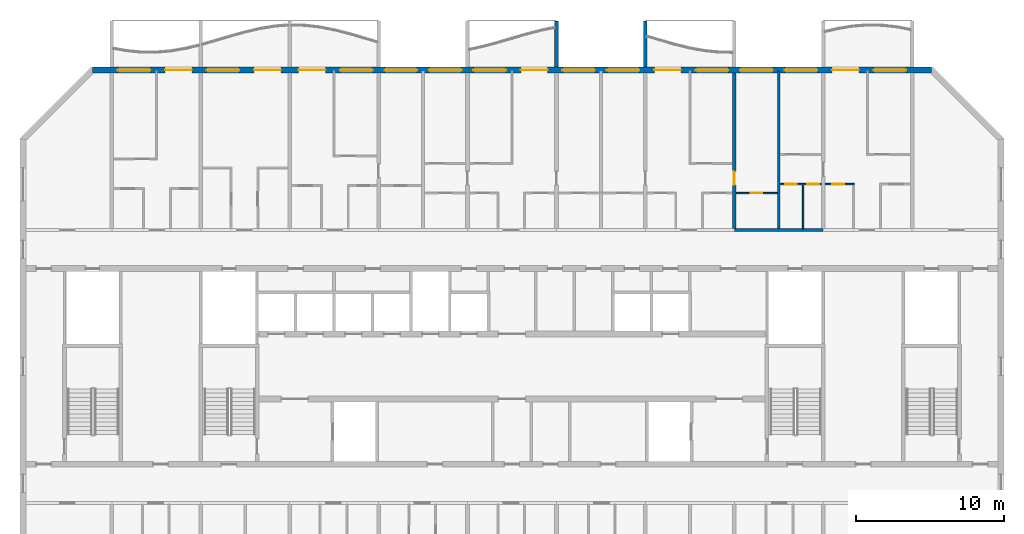
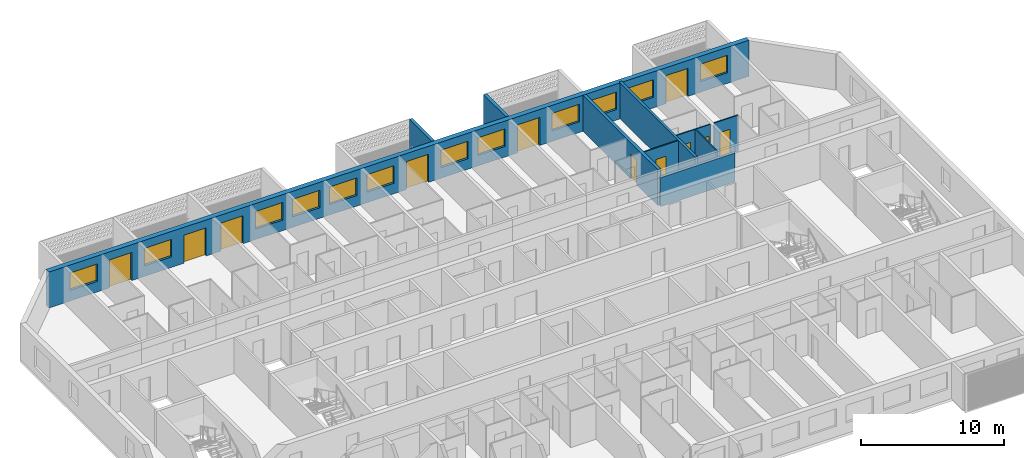
# One storey, part 10 of 27: 12 windows, 11 doors, 10 walls, 23 openings.
"""IFC4 building model written with IfcOpenShell, lengths in metres."""

import ifcopenshell
import ifcopenshell.guid

model = None  # the IFC model being written
_history = None  # IfcOwnerHistory: only IFC2X3 demands one
_inside = {}  # id of a spatial element -> (the spatial element, [elements in it])
_under = {}  # id of a project, library or spatial element -> (it, [spatial elements below it])
_declared = {}  # id of a project -> (the project, [libraries it declares])
_typed = {}  # id of a type object -> (the type object, [elements of that type])
_made_of = {}  # id of a material, layer set ... -> (it, [elements and type objects made of it])


def new_model(schema):
    """Start an empty IFC model of exactly this schema.

    Asked for "IFC4X3", IfcOpenShell would pick the latest addendum, in which some entities
    have other attributes; the version numbers below select the first issue.
    IFC2X3 requires an IfcOwnerHistory on every rooted entity: one is made here for all.
    """
    global model, _history
    if schema == "IFC4X3":
        model = ifcopenshell.file(schema_version=(4, 3, 0, 0))
    else:
        model = ifcopenshell.file(schema=schema)
    _inside.clear()
    _under.clear()
    _declared.clear()
    _typed.clear()
    _made_of.clear()
    _history = None
    if model.schema == "IFC2X3":
        org = make("IfcOrganization", Name="unknown")
        user = make(
            "IfcPersonAndOrganization",
            ThePerson=make("IfcPerson", FamilyName="unknown"),
            TheOrganization=org,
        )
        app = make(
            "IfcApplication",
            ApplicationDeveloper=org,
            Version="unknown",
            ApplicationFullName="unknown",
            ApplicationIdentifier="unknown",
        )
        _history = make(
            "IfcOwnerHistory",
            OwningUser=user,
            OwningApplication=app,
            ChangeAction="ADDED",
            CreationDate=0,
        )
    return model


def make(cls, **values):
    """One entity of the class cls with the attributes given. An attribute that is None is left unset."""
    return model.create_entity(
        cls, **{name: value for name, value in values.items() if value is not None}
    )


def rooted(cls, **values):
    """An entity with a GlobalId (a new one), such as an element, a storey or a relation."""
    return make(cls, GlobalId=ifcopenshell.guid.new(), OwnerHistory=_history, **values)


def si_unit(unit_type, name, prefix=None):
    """IfcSIUnit, for example si_unit("LENGTHUNIT", "METRE", prefix="MILLI")."""
    return make("IfcSIUnit", UnitType=unit_type, Prefix=prefix, Name=name)


def assignment(units):
    """IfcUnitAssignment: the units of a project."""
    return None if units is None else make("IfcUnitAssignment", Units=units)


def point(xyz):
    """IfcCartesianPoint."""
    return None if xyz is None else make("IfcCartesianPoint", Coordinates=xyz)


def direction(xyz):
    """IfcDirection."""
    return None if xyz is None else make("IfcDirection", DirectionRatios=xyz)


def frame(location, z_axis=None, x_axis=None):
    """IfcAxis2Placement3D, a coordinate frame: its origin and axes. An axis left out is left unset."""
    return make(
        "IfcAxis2Placement3D",
        Location=point(location),
        Axis=direction(z_axis),
        RefDirection=direction(x_axis),
    )


def frame_2d(location, x_axis=None):
    """IfcAxis2Placement2D, a coordinate frame in the plane: its origin and x axis."""
    return make(
        "IfcAxis2Placement2D", Location=point(location), RefDirection=direction(x_axis)
    )


def origin():
    """The frame at (0, 0, 0) with its axes left unset."""
    return frame((0.0, 0.0, 0.0))


def place(relative_to, where):
    """IfcLocalPlacement: puts the frame where relative to a parent placement (None: the world)."""
    return make(
        "IfcLocalPlacement", PlacementRelTo=relative_to, RelativePlacement=where
    )


def context(
    kind, dimensions, precision=None, world=None, true_north=None, identifier=None
):
    """IfcGeometricRepresentationContext, for example the 3D "Model" context."""
    return make(
        "IfcGeometricRepresentationContext",
        ContextIdentifier=identifier,
        ContextType=kind,
        CoordinateSpaceDimension=dimensions,
        Precision=precision,
        WorldCoordinateSystem=world,
        TrueNorth=true_north,
    )


def subcontext(parent, identifier, kind, view, scale=None):
    """IfcGeometricRepresentationSubContext, for example "Body" below "Model"."""
    return make(
        "IfcGeometricRepresentationSubContext",
        ContextIdentifier=identifier,
        ContextType=kind,
        ParentContext=parent,
        TargetScale=scale,
        TargetView=view,
    )


def project(units=None, contexts=None):
    """IfcProject with its units and contexts."""
    return rooted(
        "IfcProject",
        Name="project",
        RepresentationContexts=contexts,
        UnitsInContext=assignment(units),
    )


def spatial(cls, under=None, at=None, **own):
    """A site, building, storey or space (cls), placed at a placement, below another one or the project."""
    s = rooted(cls, ObjectPlacement=at, **own)
    if under is not None:
        _under.setdefault(under.id(), (under, []))[1].append(s)
    return s


def polyline(points):
    """IfcPolyline through the points."""
    return make("IfcPolyline", Points=[point(p) for p in points])


def profile(cls, at=None, kind="AREA", **sizes):
    """A parametric profile (cls). Its sizes go by their IFC names, for example OverallWidth=200.0."""
    return make(cls, ProfileType=kind, Position=at, **sizes)


def rectangle(**sizes):
    """IfcRectangleProfileDef."""
    return profile("IfcRectangleProfileDef", **sizes)


def outline(outer, holes=None, kind="AREA"):
    """IfcArbitraryClosedProfileDef: a profile drawn as a closed curve; with holes, ...WithVoids."""
    if holes is None:
        return make("IfcArbitraryClosedProfileDef", ProfileType=kind, OuterCurve=outer)
    return make(
        "IfcArbitraryProfileDefWithVoids",
        ProfileType=kind,
        OuterCurve=outer,
        InnerCurves=holes,
    )


def extrude(swept, where, along, depth):
    """IfcExtrudedAreaSolid: the profile swept, set in the frame where, extruded along a direction by depth."""
    return make(
        "IfcExtrudedAreaSolid",
        SweptArea=swept,
        Position=where,
        ExtrudedDirection=direction(along),
        Depth=depth,
    )


def shape(context_of_items, identifier, shape_type, items):
    """IfcShapeRepresentation: the items that make up one representation, for example the "Body"."""
    return make(
        "IfcShapeRepresentation",
        ContextOfItems=context_of_items,
        RepresentationIdentifier=identifier,
        RepresentationType=shape_type,
        Items=items,
    )


def source(mapping_origin, context_of_items, identifier, shape_type, items):
    """IfcRepresentationMap: a shape defined once, which mapped items show again and again."""
    return make(
        "IfcRepresentationMap",
        MappingOrigin=mapping_origin,
        MappedRepresentation=shape(context_of_items, identifier, shape_type, items),
    )


def transform(
    local_origin,
    x_axis=None,
    y_axis=None,
    z_axis=None,
    scale=None,
    scale2=None,
    scale3=None,
    uniform=True,
):
    """IfcCartesianTransformationOperator3D, or its non-uniform kind. x_axis, y_axis, z_axis: its Axis1, 2, 3."""
    if uniform:
        return make(
            "IfcCartesianTransformationOperator3D",
            Axis1=direction(x_axis),
            Axis2=direction(y_axis),
            LocalOrigin=point(local_origin),
            Scale=scale,
            Axis3=direction(z_axis),
        )
    return make(
        "IfcCartesianTransformationOperator3DnonUniform",
        Axis1=direction(x_axis),
        Axis2=direction(y_axis),
        LocalOrigin=point(local_origin),
        Scale=scale,
        Axis3=direction(z_axis),
        Scale2=scale2,
        Scale3=scale3,
    )


def mapped(mapping_source, mapping_target):
    """IfcMappedItem: shows the shape of a source again, moved by a transform."""
    return make(
        "IfcMappedItem", MappingSource=mapping_source, MappingTarget=mapping_target
    )


def material(Name=None, Category=None):
    """IfcMaterial."""
    return make("IfcMaterial", Name=Name, Category=Category)


def layer(
    of_material, thickness, ventilated=None, Name=None, Category=None, Priority=None
):
    """IfcMaterialLayer: one layer of a wall or slab, of a material (None: an air gap)."""
    return make(
        "IfcMaterialLayer",
        Material=of_material,
        LayerThickness=thickness,
        IsVentilated=ventilated,
        Name=Name,
        Category=Category,
        Priority=Priority,
    )


def layer_set(layers, Name=None):
    """IfcMaterialLayerSet."""
    return make("IfcMaterialLayerSet", MaterialLayers=layers, LayerSetName=Name)


def made_of(thing, what):
    """Note that an element or type object is made of a material, layer set ...; save() writes the relation."""
    if what is not None:
        _made_of.setdefault(what.id(), (what, []))[1].append(thing)
    return thing


def type_object(cls, material=None, **own):
    """A type object (cls), such as IfcWallType, which elements share."""
    return made_of(rooted(cls, **own), material)


def element(
    cls,
    number,
    at=None,
    inside=None,
    cuts=None,
    type_object=None,
    material=None,
    context=None,
    identifier="Body",
    shape_type=None,
    held_by="IfcProductDefinitionShape",
    body=None,
    shapes=None,
    **own,
):
    """One element of the class cls, such as IfcWall. Its Tag is "e" and its number.

    at: its placement. inside: the storey or other place that contains it. cuts: it is an
    opening in that element (IfcRelVoidsElement). A single representation is given by context,
    identifier, shape_type and body (its items); several are given by shapes. held_by: the class
    of the entity that holds the representations. save() writes the other relations.
    """
    e = rooted(cls, Tag="e%d" % number, ObjectPlacement=at, **own)
    if body is not None:
        shapes = [shape(context, identifier, shape_type, body)]
    if shapes is not None:
        e.Representation = make(held_by, Representations=shapes)
    if inside is not None:
        _inside.setdefault(inside.id(), (inside, []))[1].append(e)
    if cuts is not None:
        rooted(
            "IfcRelVoidsElement", RelatingBuildingElement=cuts, RelatedOpeningElement=e
        )
    if type_object is not None:
        _typed.setdefault(type_object.id(), (type_object, []))[1].append(e)
    return made_of(e, material)


def fill(opening, filler):
    """IfcRelFillsElement: the door or window that sits in an opening."""
    return rooted(
        "IfcRelFillsElement",
        RelatingOpeningElement=opening,
        RelatedBuildingElement=filler,
    )


def aggregate(whole, parts):
    """IfcRelAggregates: a whole, such as a stair, and the parts it consists of."""
    return rooted("IfcRelAggregates", RelatingObject=whole, RelatedObjects=parts)


def save(model, path):
    """Write the relations noted so far, then the file.

    IfcRelAggregates (storeys below a building ...), IfcRelContainedInSpatialStructure (elements
    in a storey), IfcRelDefinesByType, IfcRelAssociatesMaterial and IfcRelDeclares: one each for
    every whole, place, type object, material and project.
    """
    for whole, parts in _under.values():
        aggregate(whole, parts)
    for where, things in _inside.values():
        rooted(
            "IfcRelContainedInSpatialStructure",
            RelatedElements=things,
            RelatingStructure=where,
        )
    for kind, things in _typed.values():
        rooted("IfcRelDefinesByType", RelatedObjects=things, RelatingType=kind)
    for what, things in _made_of.values():
        rooted("IfcRelAssociatesMaterial", RelatedObjects=things, RelatingMaterial=what)
    for by, libraries in _declared.values():
        rooted("IfcRelDeclares", RelatingContext=by, RelatedDefinitions=libraries)
    model.write(path)


model = new_model("IFC4")

# Units and contexts
model_context = context("Model", 3, precision=1e-05, world=origin(), true_north=direction((0.0, 1.0)))
body_context = subcontext(model_context, "Body", "Model", "MODEL_VIEW")
ifc_project = project(units=[si_unit("LENGTHUNIT", "METRE"), si_unit("AREAUNIT", "SQUARE_METRE"), si_unit("VOLUMEUNIT", "CUBIC_METRE"), si_unit("PLANEANGLEUNIT", "RADIAN"), si_unit("MASSUNIT", "GRAM", prefix="KILO")], contexts=[model_context])

# Site, building, storey
site_placement = place(None, origin())
site = spatial("IfcSite", under=ifc_project, at=site_placement, CompositionType="ELEMENT")
building_placement = place(site_placement, origin())
building = spatial("IfcBuilding", under=site, at=building_placement, Name="Poui Terraces", CompositionType="ELEMENT")
storey_placement = place(building_placement, frame((0.0, 0.0, 204.89990234375)))
storey = spatial("IfcBuildingStorey", under=building, at=storey_placement, Name="L57", CompositionType="ELEMENT", Elevation=204.89990234375)

# Wall
ifc_material_1 = material(Name="Concrete 50 MPa", Category="concrete")
ifc_layer_1 = layer(ifc_material_1, 0.199951171875)
ifc_layer_set_1 = layer_set([ifc_layer_1], Name="Concrete 50 MPa")
wall_type_1 = type_object("IfcWallType", Name="CORRIDOR WALL 200 50MPa", PredefinedType="SHEAR", material=ifc_layer_set_1)
wall_1_placement = place(storey_placement, frame((66.0, 30.39990234375, 0.0), z_axis=(0.0, 0.0, 1.0), x_axis=(1.0, 0.0, 0.0)))
element("IfcWall", 1, at=wall_1_placement, inside=storey, type_object=wall_type_1, Name="CORRIDOR WALL LINE E BAY 9", PredefinedType="SHEAR", context=body_context, shape_type="SweptSolid", body=[
    extrude(rectangle(XDim=6.0, YDim=0.199951171875, at=frame_2d((3.0, 0.0))), origin(), (0.0, 0.0, 1.0), 2.47998046875),
])

# Wall, opening, door
ifc_layer_2 = layer(ifc_material_1, 0.25)
ifc_layer_set_2 = layer_set([ifc_layer_2], Name="Concrete 50 MPa")
wall_type_2 = type_object("IfcWallType", Name="CROSS WALL 250 50MPa", PredefinedType="SHEAR", material=ifc_layer_set_2)
wall_2_placement = place(storey_placement, frame((66.0, 30.5, 0.0), z_axis=(0.0, 0.0, 1.0), x_axis=(0.0, 1.0, 0.0)))
wall_2 = element("IfcWall", 2, at=wall_2_placement, inside=storey, type_object=wall_type_2, Name="CROSS WALL LINE 12 NORTH", PredefinedType="SHEAR", context=body_context, shape_type="SweptSolid", body=[
    extrude(rectangle(XDim=10.5, YDim=0.25, at=frame_2d((5.25, 0.0))), origin(), (0.0, 0.0, 1.0), 3.080078125),
])
opening_1_placement = place(wall_2_placement, frame((2.949951171875, 0.0, 0.0)))
opening_1 = element("IfcOpeningElement", 3, at=opening_1_placement, cuts=wall_2, Name="Opening D90", PredefinedType="OPENING", context=body_context, shape_type="SweptSolid", body=[
    extrude(rectangle(XDim=0.89990234375, YDim=2.10009765625, at=frame_2d((0.449951171875, 1.050048828125))), frame((0.0, 0.135009765625, 0.0), z_axis=(0.0, -1.0, 0.0), x_axis=(1.0, 0.0, 0.0)), (0.0, 0.0, 1.0), 0.27001953125),
])
ifc_material_2 = material(Name="Solid core timber door", Category="wood")
door_type_1 = type_object("IfcDoorType", Name="INTERNAL DOOR 900 X 2100", OperationType="NOTDEFINED", PredefinedType="DOOR", material=ifc_material_2)
door_1_placement = place(opening_1_placement, frame((0.89990234375, 0.0, 0.0), z_axis=(0.0, 0.0, 1.0), x_axis=(-1.0, 0.0, 0.0)))
door_1 = element("IfcDoor", 4, at=door_1_placement, inside=storey, type_object=door_type_1, Name="INTERNAL DOOR 056", OperationType="SINGLE_SWING_RIGHT", OverallHeight=2.10009765625, OverallWidth=0.89990234375, PredefinedType="DOOR", context=body_context, shape_type="SweptSolid", body=[
    extrude(rectangle(XDim=0.89990234375, YDim=2.10009765625, at=frame_2d((0.449951171875, 1.050048828125))), frame((0.0, 0.02490234375, 0.0), z_axis=(0.0, -1.0, 0.0), x_axis=(1.0, 0.0, 0.0)), (0.0, 0.0, 1.0), 0.050048828125),
])
fill(opening_1, door_1)

# Wall, openings, doors, windows
ifc_material_3 = material(Name="Precast concrete 40 MPa", Category="concrete")
ifc_layer_3 = layer(ifc_material_3, 0.39990234375)
ifc_layer_set_3 = layer_set([ifc_layer_3], Name="Precast concrete 40 MPa")
wall_type_3 = type_object("IfcWallType", Name="EXTERNAL WALL 400", PredefinedType="STANDARD", material=ifc_layer_set_3)
wall_3_placement = place(storey_placement, frame((79.317138671875, 41.199951171875, 0.0), z_axis=(0.0, 0.0, 1.0), x_axis=(-1.0, 0.0, 0.0)))
wall_3 = element("IfcWall", 5, at=wall_3_placement, inside=storey, type_object=wall_type_3, Name="EXTERNAL WALL N", PredefinedType="STANDARD", context=body_context, shape_type="SweptSolid", body=[
    extrude(rectangle(XDim=56.63427734375, YDim=0.39990234375, at=frame_2d((28.317138671875, 0.0))), origin(), (0.0, 0.0, 1.0), 3.080078125),
])
opening_2_placement = place(wall_3_placement, frame((52.71728515625, 0.0, 0.89990234375)))
opening_2 = element("IfcOpeningElement", 6, at=opening_2_placement, cuts=wall_3, Name="Opening W1", PredefinedType="OPENING", context=body_context, shape_type="SweptSolid", body=[
    extrude(rectangle(XDim=2.199951171875, YDim=1.5, at=frame_2d((1.10009765625, 0.75))), frame((0.0, 0.2099609375, 0.0), z_axis=(0.0, -1.0, 0.0), x_axis=(1.0, 0.0, 0.0)), (0.0, 0.0, 1.0), 0.419921875),
])
opening_3_placement = place(wall_3_placement, frame((49.917236328125, 0.0, 0.0)))
opening_3 = element("IfcOpeningElement", 7, at=opening_3_placement, cuts=wall_3, Name="Opening BD1", PredefinedType="OPENING", context=body_context, shape_type="SweptSolid", body=[
    extrude(rectangle(XDim=1.800048828125, YDim=2.39990234375, at=frame_2d((0.89990234375, 1.199951171875))), frame((0.0, 0.2099609375, 0.0), z_axis=(0.0, -1.0, 0.0), x_axis=(1.0, 0.0, 0.0)), (0.0, 0.0, 1.0), 0.419921875),
])
opening_4_placement = place(wall_3_placement, frame((46.71728515625, 0.0, 0.89990234375)))
opening_4 = element("IfcOpeningElement", 8, at=opening_4_placement, cuts=wall_3, Name="Opening W1", PredefinedType="OPENING", context=body_context, shape_type="SweptSolid", body=[
    extrude(rectangle(XDim=2.199951171875, YDim=1.5, at=frame_2d((1.10009765625, 0.75))), frame((0.0, 0.2099609375, 0.0), z_axis=(0.0, -1.0, 0.0), x_axis=(1.0, 0.0, 0.0)), (0.0, 0.0, 1.0), 0.419921875),
])
opening_5_placement = place(wall_3_placement, frame((43.917236328125, 0.0, 0.0)))
opening_5 = element("IfcOpeningElement", 9, at=opening_5_placement, cuts=wall_3, Name="Opening BD1", PredefinedType="OPENING", context=body_context, shape_type="SweptSolid", body=[
    extrude(rectangle(XDim=1.800048828125, YDim=2.39990234375, at=frame_2d((0.89990234375, 1.199951171875))), frame((0.0, 0.2099609375, 0.0), z_axis=(0.0, -1.0, 0.0), x_axis=(1.0, 0.0, 0.0)), (0.0, 0.0, 1.0), 0.419921875),
])
opening_6_placement = place(wall_3_placement, frame((40.917236328125, 0.0, 0.0)))
opening_6 = element("IfcOpeningElement", 10, at=opening_6_placement, cuts=wall_3, Name="Opening BD1", PredefinedType="OPENING", context=body_context, shape_type="SweptSolid", body=[
    extrude(rectangle(XDim=1.800048828125, YDim=2.39990234375, at=frame_2d((0.89990234375, 1.199951171875))), frame((0.0, 0.2099609375, 0.0), z_axis=(0.0, -1.0, 0.0), x_axis=(1.0, 0.0, 0.0)), (0.0, 0.0, 1.0), 0.419921875),
])
opening_7_placement = place(wall_3_placement, frame((37.71728515625, 0.0, 0.89990234375)))
opening_7 = element("IfcOpeningElement", 11, at=opening_7_placement, cuts=wall_3, Name="Opening W1", PredefinedType="OPENING", context=body_context, shape_type="SweptSolid", body=[
    extrude(rectangle(XDim=2.199951171875, YDim=1.5, at=frame_2d((1.10009765625, 0.75))), frame((0.0, 0.2099609375, 0.0), z_axis=(0.0, -1.0, 0.0), x_axis=(1.0, 0.0, 0.0)), (0.0, 0.0, 1.0), 0.419921875),
])
opening_8_placement = place(wall_3_placement, frame((34.71728515625, 0.0, 0.89990234375)))
opening_8 = element("IfcOpeningElement", 12, at=opening_8_placement, cuts=wall_3, Name="Opening W1", PredefinedType="OPENING", context=body_context, shape_type="SweptSolid", body=[
    extrude(rectangle(XDim=2.199951171875, YDim=1.5, at=frame_2d((1.10009765625, 0.75))), frame((0.0, 0.2099609375, 0.0), z_axis=(0.0, -1.0, 0.0), x_axis=(1.0, 0.0, 0.0)), (0.0, 0.0, 1.0), 0.419921875),
])
opening_9_placement = place(wall_3_placement, frame((31.71728515625, 0.0, 0.89990234375)))
opening_9 = element("IfcOpeningElement", 13, at=opening_9_placement, cuts=wall_3, Name="Opening W1", PredefinedType="OPENING", context=body_context, shape_type="SweptSolid", body=[
    extrude(rectangle(XDim=2.199951171875, YDim=1.5, at=frame_2d((1.10009765625, 0.75))), frame((0.0, 0.2099609375, 0.0), z_axis=(0.0, -1.0, 0.0), x_axis=(1.0, 0.0, 0.0)), (0.0, 0.0, 1.0), 0.419921875),
])
opening_10_placement = place(wall_3_placement, frame((28.71728515625, 0.0, 0.89990234375)))
opening_10 = element("IfcOpeningElement", 14, at=opening_10_placement, cuts=wall_3, Name="Opening W1", PredefinedType="OPENING", context=body_context, shape_type="SweptSolid", body=[
    extrude(rectangle(XDim=2.199951171875, YDim=1.5, at=frame_2d((1.10009765625, 0.75))), frame((0.0, 0.2099609375, 0.0), z_axis=(0.0, -1.0, 0.0), x_axis=(1.0, 0.0, 0.0)), (0.0, 0.0, 1.0), 0.419921875),
])
opening_11_placement = place(wall_3_placement, frame((25.917236328125, 0.0, 0.0)))
opening_11 = element("IfcOpeningElement", 15, at=opening_11_placement, cuts=wall_3, Name="Opening BD1", PredefinedType="OPENING", context=body_context, shape_type="SweptSolid", body=[
    extrude(rectangle(XDim=1.800048828125, YDim=2.39990234375, at=frame_2d((0.89990234375, 1.199951171875))), frame((0.0, 0.2099609375, 0.0), z_axis=(0.0, -1.0, 0.0), x_axis=(1.0, 0.0, 0.0)), (0.0, 0.0, 1.0), 0.419921875),
])
opening_12_placement = place(wall_3_placement, frame((22.71728515625, 0.0, 0.89990234375)))
opening_12 = element("IfcOpeningElement", 16, at=opening_12_placement, cuts=wall_3, Name="Opening W1", PredefinedType="OPENING", context=body_context, shape_type="SweptSolid", body=[
    extrude(rectangle(XDim=2.199951171875, YDim=1.5, at=frame_2d((1.10009765625, 0.75))), frame((0.0, 0.2099609375, 0.0), z_axis=(0.0, -1.0, 0.0), x_axis=(1.0, 0.0, 0.0)), (0.0, 0.0, 1.0), 0.419921875),
])
opening_13_placement = place(wall_3_placement, frame((19.71728515625, 0.0, 0.89990234375)))
opening_13 = element("IfcOpeningElement", 17, at=opening_13_placement, cuts=wall_3, Name="Opening W1", PredefinedType="OPENING", context=body_context, shape_type="SweptSolid", body=[
    extrude(rectangle(XDim=2.199951171875, YDim=1.5, at=frame_2d((1.10009765625, 0.75))), frame((0.0, 0.2099609375, 0.0), z_axis=(0.0, -1.0, 0.0), x_axis=(1.0, 0.0, 0.0)), (0.0, 0.0, 1.0), 0.419921875),
])
opening_14_placement = place(wall_3_placement, frame((16.917236328125, 0.0, 0.0)))
opening_14 = element("IfcOpeningElement", 18, at=opening_14_placement, cuts=wall_3, Name="Opening BD1", PredefinedType="OPENING", context=body_context, shape_type="SweptSolid", body=[
    extrude(rectangle(XDim=1.800048828125, YDim=2.39990234375, at=frame_2d((0.89990234375, 1.199951171875))), frame((0.0, 0.2099609375, 0.0), z_axis=(0.0, -1.0, 0.0), x_axis=(1.0, 0.0, 0.0)), (0.0, 0.0, 1.0), 0.419921875),
])
opening_15_placement = place(wall_3_placement, frame((13.71728515625, 0.0, 0.89990234375)))
opening_15 = element("IfcOpeningElement", 19, at=opening_15_placement, cuts=wall_3, Name="Opening W1", PredefinedType="OPENING", context=body_context, shape_type="SweptSolid", body=[
    extrude(rectangle(XDim=2.199951171875, YDim=1.5, at=frame_2d((1.10009765625, 0.75))), frame((0.0, 0.2099609375, 0.0), z_axis=(0.0, -1.0, 0.0), x_axis=(1.0, 0.0, 0.0)), (0.0, 0.0, 1.0), 0.419921875),
])
opening_16_placement = place(wall_3_placement, frame((10.71728515625, 0.0, 0.89990234375)))
opening_16 = element("IfcOpeningElement", 20, at=opening_16_placement, cuts=wall_3, Name="Opening W1", PredefinedType="OPENING", context=body_context, shape_type="SweptSolid", body=[
    extrude(rectangle(XDim=2.199951171875, YDim=1.5, at=frame_2d((1.10009765625, 0.75))), frame((0.0, 0.2099609375, 0.0), z_axis=(0.0, -1.0, 0.0), x_axis=(1.0, 0.0, 0.0)), (0.0, 0.0, 1.0), 0.419921875),
])
opening_17_placement = place(wall_3_placement, frame((7.71728515625, 0.0, 0.89990234375)))
opening_17 = element("IfcOpeningElement", 21, at=opening_17_placement, cuts=wall_3, Name="Opening W1", PredefinedType="OPENING", context=body_context, shape_type="SweptSolid", body=[
    extrude(rectangle(XDim=2.199951171875, YDim=1.5, at=frame_2d((1.10009765625, 0.75))), frame((0.0, 0.2099609375, 0.0), z_axis=(0.0, -1.0, 0.0), x_axis=(1.0, 0.0, 0.0)), (0.0, 0.0, 1.0), 0.419921875),
])
opening_18_placement = place(wall_3_placement, frame((4.917236328125, 0.0, 0.0)))
opening_18 = element("IfcOpeningElement", 22, at=opening_18_placement, cuts=wall_3, Name="Opening BD1", PredefinedType="OPENING", context=body_context, shape_type="SweptSolid", body=[
    extrude(rectangle(XDim=1.800048828125, YDim=2.39990234375, at=frame_2d((0.89990234375, 1.199951171875))), frame((0.0, 0.2099609375, 0.0), z_axis=(0.0, -1.0, 0.0), x_axis=(1.0, 0.0, 0.0)), (0.0, 0.0, 1.0), 0.419921875),
])
opening_19_placement = place(wall_3_placement, frame((1.71728515625, 0.0, 0.89990234375)))
opening_19 = element("IfcOpeningElement", 23, at=opening_19_placement, cuts=wall_3, Name="Opening W1", PredefinedType="OPENING", context=body_context, shape_type="SweptSolid", body=[
    extrude(rectangle(XDim=2.199951171875, YDim=1.5, at=frame_2d((1.10009765625, 0.75))), frame((0.0, 0.2099609375, 0.0), z_axis=(0.0, -1.0, 0.0), x_axis=(1.0, 0.0, 0.0)), (0.0, 0.0, 1.0), 0.419921875),
])
ifc_material_4 = material(Name="Clear glass in aluminium frame", Category="aluminium")
door_type_2 = type_object("IfcDoorType", Name="BALCONY DOOR 1800X2400", OperationType="DOUBLE_DOOR_SLIDING", PredefinedType="DOOR", material=ifc_material_4)
door_2_placement = place(opening_3_placement, origin())
door_2 = element("IfcDoor", 24, at=door_2_placement, inside=storey, type_object=door_type_2, Name="BD1 BALCONY DOOR", OperationType="DOUBLE_DOOR_SLIDING", OverallHeight=2.39990234375, OverallWidth=1.800048828125, PredefinedType="DOOR", context=body_context, shape_type="SweptSolid", body=[
    extrude(rectangle(XDim=1.800048828125, YDim=2.39990234375, at=frame_2d((0.89990234375, 1.199951171875))), frame((0.0, 0.02490234375, 0.0), z_axis=(0.0, -1.0, 0.0), x_axis=(1.0, 0.0, 0.0)), (0.0, 0.0, 1.0), 0.050048828125),
])
fill(opening_3, door_2)
door_3_placement = place(opening_5_placement, origin())
door_3 = element("IfcDoor", 25, at=door_3_placement, inside=storey, type_object=door_type_2, Name="BD1 BALCONY DOOR", OperationType="DOUBLE_DOOR_SLIDING", OverallHeight=2.39990234375, OverallWidth=1.800048828125, PredefinedType="DOOR", context=body_context, shape_type="SweptSolid", body=[
    extrude(rectangle(XDim=1.800048828125, YDim=2.39990234375, at=frame_2d((0.89990234375, 1.199951171875))), frame((0.0, 0.02490234375, 0.0), z_axis=(0.0, -1.0, 0.0), x_axis=(1.0, 0.0, 0.0)), (0.0, 0.0, 1.0), 0.050048828125),
])
fill(opening_5, door_3)
door_4_placement = place(opening_6_placement, origin())
door_4 = element("IfcDoor", 26, at=door_4_placement, inside=storey, type_object=door_type_2, Name="BD1 BALCONY DOOR", OperationType="DOUBLE_DOOR_SLIDING", OverallHeight=2.39990234375, OverallWidth=1.800048828125, PredefinedType="DOOR", context=body_context, shape_type="SweptSolid", body=[
    extrude(rectangle(XDim=1.800048828125, YDim=2.39990234375, at=frame_2d((0.89990234375, 1.199951171875))), frame((0.0, 0.02490234375, 0.0), z_axis=(0.0, -1.0, 0.0), x_axis=(1.0, 0.0, 0.0)), (0.0, 0.0, 1.0), 0.050048828125),
])
fill(opening_6, door_4)
door_5_placement = place(opening_11_placement, origin())
door_5 = element("IfcDoor", 27, at=door_5_placement, inside=storey, type_object=door_type_2, Name="BD1 BALCONY DOOR", OperationType="DOUBLE_DOOR_SLIDING", OverallHeight=2.39990234375, OverallWidth=1.800048828125, PredefinedType="DOOR", context=body_context, shape_type="SweptSolid", body=[
    extrude(rectangle(XDim=1.800048828125, YDim=2.39990234375, at=frame_2d((0.89990234375, 1.199951171875))), frame((0.0, 0.02490234375, 0.0), z_axis=(0.0, -1.0, 0.0), x_axis=(1.0, 0.0, 0.0)), (0.0, 0.0, 1.0), 0.050048828125),
])
fill(opening_11, door_5)
door_6_placement = place(opening_14_placement, origin())
door_6 = element("IfcDoor", 28, at=door_6_placement, inside=storey, type_object=door_type_2, Name="BD1 BALCONY DOOR", OperationType="DOUBLE_DOOR_SLIDING", OverallHeight=2.39990234375, OverallWidth=1.800048828125, PredefinedType="DOOR", context=body_context, shape_type="SweptSolid", body=[
    extrude(rectangle(XDim=1.800048828125, YDim=2.39990234375, at=frame_2d((0.89990234375, 1.199951171875))), frame((0.0, 0.02490234375, 0.0), z_axis=(0.0, -1.0, 0.0), x_axis=(1.0, 0.0, 0.0)), (0.0, 0.0, 1.0), 0.050048828125),
])
fill(opening_14, door_6)
door_7_placement = place(opening_18_placement, origin())
door_7 = element("IfcDoor", 29, at=door_7_placement, inside=storey, type_object=door_type_2, Name="BD1 BALCONY DOOR", OperationType="DOUBLE_DOOR_SLIDING", OverallHeight=2.39990234375, OverallWidth=1.800048828125, PredefinedType="DOOR", context=body_context, shape_type="SweptSolid", body=[
    extrude(rectangle(XDim=1.800048828125, YDim=2.39990234375, at=frame_2d((0.89990234375, 1.199951171875))), frame((0.0, 0.02490234375, 0.0), z_axis=(0.0, -1.0, 0.0), x_axis=(1.0, 0.0, 0.0)), (0.0, 0.0, 1.0), 0.050048828125),
])
fill(opening_18, door_7)
window_type = type_object("IfcWindowType", Name="WINDOW 2200X1500", PartitioningType="DOUBLE_PANEL_HORIZONTAL", PredefinedType="WINDOW", material=ifc_material_4)
window_1_placement = place(opening_2_placement, origin())
window_1 = element("IfcWindow", 30, at=window_1_placement, inside=storey, type_object=window_type, Name="W1 WINDOW", OverallHeight=1.5, OverallWidth=2.199951171875, PartitioningType="DOUBLE_PANEL_HORIZONTAL", PredefinedType="WINDOW", context=body_context, shape_type="SweptSolid", body=[
    extrude(rectangle(XDim=2.199951171875, YDim=1.5, at=frame_2d((1.10009765625, 0.75))), frame((0.0, 0.030029296875, 0.0), z_axis=(0.0, -1.0, 0.0), x_axis=(1.0, 0.0, 0.0)), (0.0, 0.0, 1.0), 0.06005859375),
])
fill(opening_2, window_1)
window_2_placement = place(opening_4_placement, origin())
window_2 = element("IfcWindow", 31, at=window_2_placement, inside=storey, type_object=window_type, Name="W1 WINDOW", OverallHeight=1.5, OverallWidth=2.199951171875, PartitioningType="DOUBLE_PANEL_HORIZONTAL", PredefinedType="WINDOW", context=body_context, shape_type="SweptSolid", body=[
    extrude(rectangle(XDim=2.199951171875, YDim=1.5, at=frame_2d((1.10009765625, 0.75))), frame((0.0, 0.030029296875, 0.0), z_axis=(0.0, -1.0, 0.0), x_axis=(1.0, 0.0, 0.0)), (0.0, 0.0, 1.0), 0.06005859375),
])
fill(opening_4, window_2)
window_3_placement = place(opening_7_placement, origin())
window_3 = element("IfcWindow", 32, at=window_3_placement, inside=storey, type_object=window_type, Name="W1 WINDOW", OverallHeight=1.5, OverallWidth=2.199951171875, PartitioningType="DOUBLE_PANEL_HORIZONTAL", PredefinedType="WINDOW", context=body_context, shape_type="SweptSolid", body=[
    extrude(rectangle(XDim=2.199951171875, YDim=1.5, at=frame_2d((1.10009765625, 0.75))), frame((0.0, 0.030029296875, 0.0), z_axis=(0.0, -1.0, 0.0), x_axis=(1.0, 0.0, 0.0)), (0.0, 0.0, 1.0), 0.06005859375),
])
fill(opening_7, window_3)
window_4_placement = place(opening_8_placement, origin())
window_4 = element("IfcWindow", 33, at=window_4_placement, inside=storey, type_object=window_type, Name="W1 WINDOW", OverallHeight=1.5, OverallWidth=2.199951171875, PartitioningType="DOUBLE_PANEL_HORIZONTAL", PredefinedType="WINDOW", context=body_context, shape_type="SweptSolid", body=[
    extrude(rectangle(XDim=2.199951171875, YDim=1.5, at=frame_2d((1.10009765625, 0.75))), frame((0.0, 0.030029296875, 0.0), z_axis=(0.0, -1.0, 0.0), x_axis=(1.0, 0.0, 0.0)), (0.0, 0.0, 1.0), 0.06005859375),
])
fill(opening_8, window_4)
window_5_placement = place(opening_9_placement, origin())
window_5 = element("IfcWindow", 34, at=window_5_placement, inside=storey, type_object=window_type, Name="W1 WINDOW", OverallHeight=1.5, OverallWidth=2.199951171875, PartitioningType="DOUBLE_PANEL_HORIZONTAL", PredefinedType="WINDOW", context=body_context, shape_type="SweptSolid", body=[
    extrude(rectangle(XDim=2.199951171875, YDim=1.5, at=frame_2d((1.10009765625, 0.75))), frame((0.0, 0.030029296875, 0.0), z_axis=(0.0, -1.0, 0.0), x_axis=(1.0, 0.0, 0.0)), (0.0, 0.0, 1.0), 0.06005859375),
])
fill(opening_9, window_5)
window_6_placement = place(opening_10_placement, origin())
window_6 = element("IfcWindow", 35, at=window_6_placement, inside=storey, type_object=window_type, Name="W1 WINDOW", OverallHeight=1.5, OverallWidth=2.199951171875, PartitioningType="DOUBLE_PANEL_HORIZONTAL", PredefinedType="WINDOW", context=body_context, shape_type="SweptSolid", body=[
    extrude(rectangle(XDim=2.199951171875, YDim=1.5, at=frame_2d((1.10009765625, 0.75))), frame((0.0, 0.030029296875, 0.0), z_axis=(0.0, -1.0, 0.0), x_axis=(1.0, 0.0, 0.0)), (0.0, 0.0, 1.0), 0.06005859375),
])
fill(opening_10, window_6)
window_7_placement = place(opening_12_placement, origin())
window_7 = element("IfcWindow", 36, at=window_7_placement, inside=storey, type_object=window_type, Name="W1 WINDOW", OverallHeight=1.5, OverallWidth=2.199951171875, PartitioningType="DOUBLE_PANEL_HORIZONTAL", PredefinedType="WINDOW", context=body_context, shape_type="SweptSolid", body=[
    extrude(rectangle(XDim=2.199951171875, YDim=1.5, at=frame_2d((1.10009765625, 0.75))), frame((0.0, 0.030029296875, 0.0), z_axis=(0.0, -1.0, 0.0), x_axis=(1.0, 0.0, 0.0)), (0.0, 0.0, 1.0), 0.06005859375),
])
fill(opening_12, window_7)
window_8_placement = place(opening_13_placement, origin())
window_8 = element("IfcWindow", 37, at=window_8_placement, inside=storey, type_object=window_type, Name="W1 WINDOW", OverallHeight=1.5, OverallWidth=2.199951171875, PartitioningType="DOUBLE_PANEL_HORIZONTAL", PredefinedType="WINDOW", context=body_context, shape_type="SweptSolid", body=[
    extrude(rectangle(XDim=2.199951171875, YDim=1.5, at=frame_2d((1.10009765625, 0.75))), frame((0.0, 0.030029296875, 0.0), z_axis=(0.0, -1.0, 0.0), x_axis=(1.0, 0.0, 0.0)), (0.0, 0.0, 1.0), 0.06005859375),
])
fill(opening_13, window_8)
window_9_placement = place(opening_15_placement, origin())
window_9 = element("IfcWindow", 38, at=window_9_placement, inside=storey, type_object=window_type, Name="W1 WINDOW", OverallHeight=1.5, OverallWidth=2.199951171875, PartitioningType="DOUBLE_PANEL_HORIZONTAL", PredefinedType="WINDOW", context=body_context, shape_type="SweptSolid", body=[
    extrude(rectangle(XDim=2.199951171875, YDim=1.5, at=frame_2d((1.10009765625, 0.75))), frame((0.0, 0.030029296875, 0.0), z_axis=(0.0, -1.0, 0.0), x_axis=(1.0, 0.0, 0.0)), (0.0, 0.0, 1.0), 0.06005859375),
])
fill(opening_15, window_9)
window_10_placement = place(opening_16_placement, origin())
window_10 = element("IfcWindow", 39, at=window_10_placement, inside=storey, type_object=window_type, Name="W1 WINDOW", OverallHeight=1.5, OverallWidth=2.199951171875, PartitioningType="DOUBLE_PANEL_HORIZONTAL", PredefinedType="WINDOW", context=body_context, shape_type="SweptSolid", body=[
    extrude(rectangle(XDim=2.199951171875, YDim=1.5, at=frame_2d((1.10009765625, 0.75))), frame((0.0, 0.030029296875, 0.0), z_axis=(0.0, -1.0, 0.0), x_axis=(1.0, 0.0, 0.0)), (0.0, 0.0, 1.0), 0.06005859375),
])
fill(opening_16, window_10)
window_11_placement = place(opening_17_placement, origin())
window_11 = element("IfcWindow", 40, at=window_11_placement, inside=storey, type_object=window_type, Name="W1 WINDOW", OverallHeight=1.5, OverallWidth=2.199951171875, PartitioningType="DOUBLE_PANEL_HORIZONTAL", PredefinedType="WINDOW", context=body_context, shape_type="SweptSolid", body=[
    extrude(rectangle(XDim=2.199951171875, YDim=1.5, at=frame_2d((1.10009765625, 0.75))), frame((0.0, 0.030029296875, 0.0), z_axis=(0.0, -1.0, 0.0), x_axis=(1.0, 0.0, 0.0)), (0.0, 0.0, 1.0), 0.06005859375),
])
fill(opening_17, window_11)
window_12_placement = place(opening_19_placement, origin())
window_12 = element("IfcWindow", 41, at=window_12_placement, inside=storey, type_object=window_type, Name="W1 WINDOW", OverallHeight=1.5, OverallWidth=2.199951171875, PartitioningType="DOUBLE_PANEL_HORIZONTAL", PredefinedType="WINDOW", context=body_context, shape_type="SweptSolid", body=[
    extrude(rectangle(XDim=2.199951171875, YDim=1.5, at=frame_2d((1.10009765625, 0.75))), frame((0.0, 0.030029296875, 0.0), z_axis=(0.0, -1.0, 0.0), x_axis=(1.0, 0.0, 0.0)), (0.0, 0.0, 1.0), 0.06005859375),
])
fill(opening_19, window_12)

# Wall, opening, door
ifc_material_5 = material(Name="Plasterboard partition")
ifc_layer_4 = layer(ifc_material_5, 0.10009765625)
ifc_layer_set_4 = layer_set([ifc_layer_4], Name="Plasterboard partition")
wall_type_4 = type_object("IfcWallType", Name="FLAT PARTITION 100", PredefinedType="PARTITIONING", material=ifc_layer_set_4)
wall_4_placement = place(storey_placement, frame((66.135009765625, 32.89990234375, 0.0), z_axis=(0.0, 0.0, 1.0), x_axis=(1.0, 0.0, 0.0)))
wall_4 = element("IfcWall", 42, at=wall_4_placement, inside=storey, type_object=wall_type_4, Name="FLAT PARTITION 100", PredefinedType="PARTITIONING", context=body_context, shape_type="SweptSolid", body=[
    extrude(rectangle(XDim=2.764892578125, YDim=0.10009765625, at=frame_2d((1.38232421875, 0.0))), origin(), (0.0, 0.0, 1.0), 3.080078125),
])
opening_20_placement = place(wall_4_placement, frame((0.965087890625, 0.0, 0.0)))
opening_20 = element("IfcOpeningElement", 43, at=opening_20_placement, cuts=wall_4, Name="Opening D80", PredefinedType="OPENING", context=body_context, shape_type="SweptSolid", body=[
    extrude(rectangle(XDim=0.800048828125, YDim=2.10009765625, at=frame_2d((0.39990234375, 1.050048828125))), frame((0.0, 0.06005859375, 0.0), z_axis=(0.0, -1.0, 0.0), x_axis=(1.0, 0.0, 0.0)), (0.0, 0.0, 1.0), 0.1201171875),
])
door_type_3 = type_object("IfcDoorType", Name="BATHROOM, LAUNDRY AND STORE DOOR 800 X 2100", OperationType="NOTDEFINED", PredefinedType="DOOR", material=ifc_material_2)
door_8_placement = place(opening_20_placement, frame((0.800048828125, 0.0, 0.0), z_axis=(0.0, 0.0, 1.0), x_axis=(-1.0, 0.0, 0.0)))
door_8 = element("IfcDoor", 44, at=door_8_placement, inside=storey, type_object=door_type_3, Name="BATHROOM, LAUNDRY AND STORE DOOR 050", OperationType="SINGLE_SWING_LEFT", OverallHeight=2.10009765625, OverallWidth=0.800048828125, PredefinedType="DOOR", context=body_context, shape_type="SweptSolid", body=[
    extrude(rectangle(XDim=0.800048828125, YDim=2.10009765625, at=frame_2d((0.39990234375, 1.050048828125))), frame((0.0, 0.02490234375, 0.0), z_axis=(0.0, -1.0, 0.0), x_axis=(1.0, 0.0, 0.0)), (0.0, 0.0, 1.0), 0.050048828125),
])
fill(opening_20, door_8)

# Wall, openings, doors
wall_5_placement = place(storey_placement, frame((69.10009765625, 33.5, 0.0), z_axis=(0.0, 0.0, 1.0), x_axis=(1.0, 0.0, 0.0)))
wall_5 = element("IfcWall", 45, at=wall_5_placement, inside=storey, type_object=wall_type_4, Name="FLAT PARTITION 100", PredefinedType="PARTITIONING", context=body_context, shape_type="SweptSolid", body=[
    extrude(rectangle(XDim=2.764892578125, YDim=0.10009765625, at=frame_2d((1.38232421875, 0.0))), origin(), (0.0, 0.0, 1.0), 3.080078125),
])
opening_21_placement = place(wall_5_placement, frame((0.324951171875, 0.0, 0.0)))
opening_21 = element("IfcOpeningElement", 46, at=opening_21_placement, cuts=wall_5, Name="Opening D80", PredefinedType="OPENING", context=body_context, shape_type="SweptSolid", body=[
    extrude(rectangle(XDim=0.800048828125, YDim=2.10009765625, at=frame_2d((0.39990234375, 1.050048828125))), frame((0.0, 0.06005859375, 0.0), z_axis=(0.0, -1.0, 0.0), x_axis=(1.0, 0.0, 0.0)), (0.0, 0.0, 1.0), 0.1201171875),
])
opening_22_placement = place(wall_5_placement, frame((1.824951171875, 0.0, 0.0)))
opening_22 = element("IfcOpeningElement", 47, at=opening_22_placement, cuts=wall_5, Name="Opening D80", PredefinedType="OPENING", context=body_context, shape_type="SweptSolid", body=[
    extrude(rectangle(XDim=0.800048828125, YDim=2.10009765625, at=frame_2d((0.39990234375, 1.050048828125))), frame((0.0, 0.06005859375, 0.0), z_axis=(0.0, -1.0, 0.0), x_axis=(1.0, 0.0, 0.0)), (0.0, 0.0, 1.0), 0.1201171875),
])
door_9_placement = place(opening_21_placement, frame((0.800048828125, 0.0, 0.0), z_axis=(0.0, 0.0, 1.0), x_axis=(-1.0, 0.0, 0.0)))
door_9 = element("IfcDoor", 48, at=door_9_placement, inside=storey, type_object=door_type_3, Name="BATHROOM, LAUNDRY AND STORE DOOR 057", OperationType="SINGLE_SWING_LEFT", OverallHeight=2.10009765625, OverallWidth=0.800048828125, PredefinedType="DOOR", context=body_context, shape_type="SweptSolid", body=[
    extrude(rectangle(XDim=0.800048828125, YDim=2.10009765625, at=frame_2d((0.39990234375, 1.050048828125))), frame((0.0, 0.02490234375, 0.0), z_axis=(0.0, -1.0, 0.0), x_axis=(1.0, 0.0, 0.0)), (0.0, 0.0, 1.0), 0.050048828125),
])
fill(opening_21, door_9)
door_10_placement = place(opening_22_placement, frame((0.800048828125, 0.0, 0.0), z_axis=(0.0, 0.0, 1.0), x_axis=(-1.0, 0.0, 0.0)))
door_10 = element("IfcDoor", 49, at=door_10_placement, inside=storey, type_object=door_type_3, Name="BATHROOM, LAUNDRY AND STORE DOOR 059", OperationType="SINGLE_SWING_RIGHT", OverallHeight=2.10009765625, OverallWidth=0.800048828125, PredefinedType="DOOR", context=body_context, shape_type="SweptSolid", body=[
    extrude(rectangle(XDim=0.800048828125, YDim=2.10009765625, at=frame_2d((0.39990234375, 1.050048828125))), frame((0.0, 0.02490234375, 0.0), z_axis=(0.0, -1.0, 0.0), x_axis=(1.0, 0.0, 0.0)), (0.0, 0.0, 1.0), 0.050048828125),
])
fill(opening_22, door_10)

# Wall, opening, door
wall_6_placement = place(storey_placement, frame((72.135009765625, 33.5, 0.0), z_axis=(0.0, 0.0, 1.0), x_axis=(1.0, 0.0, 0.0)))
wall_6 = element("IfcWall", 50, at=wall_6_placement, inside=storey, type_object=wall_type_4, Name="FLAT PARTITION 100", PredefinedType="PARTITIONING", context=body_context, shape_type="SweptSolid", body=[
    extrude(rectangle(XDim=1.965087890625, YDim=0.10009765625, at=frame_2d((0.982421875, 0.0))), origin(), (0.0, 0.0, 1.0), 3.080078125),
])
opening_23_placement = place(wall_6_placement, frame((0.489990234375, 0.0, 0.0)))
opening_23 = element("IfcOpeningElement", 51, at=opening_23_placement, cuts=wall_6, Name="Opening D80", PredefinedType="OPENING", context=body_context, shape_type="SweptSolid", body=[
    extrude(rectangle(XDim=0.800048828125, YDim=2.10009765625, at=frame_2d((0.39990234375, 1.050048828125))), frame((0.0, 0.06005859375, 0.0), z_axis=(0.0, -1.0, 0.0), x_axis=(1.0, 0.0, 0.0)), (0.0, 0.0, 1.0), 0.1201171875),
])
door_11_placement = place(opening_23_placement, frame((0.800048828125, 0.0, 0.0), z_axis=(0.0, 0.0, 1.0), x_axis=(-1.0, 0.0, 0.0)))
door_11 = element("IfcDoor", 52, at=door_11_placement, inside=storey, type_object=door_type_3, Name="BATHROOM, LAUNDRY AND STORE DOOR 061", OperationType="SINGLE_SWING_LEFT", OverallHeight=2.10009765625, OverallWidth=0.800048828125, PredefinedType="DOOR", context=body_context, shape_type="SweptSolid", body=[
    extrude(rectangle(XDim=0.800048828125, YDim=2.10009765625, at=frame_2d((0.39990234375, 1.050048828125))), frame((0.0, 0.02490234375, 0.0), z_axis=(0.0, -1.0, 0.0), x_axis=(1.0, 0.0, 0.0)), (0.0, 0.0, 1.0), 0.050048828125),
])
fill(opening_23, door_11)

# Walls
wall_7_placement = place(storey_placement, frame((70.64990234375, 30.510009765625, 0.0), z_axis=(0.0, 0.0, 1.0), x_axis=(0.0, 1.0, 0.0)))
element("IfcWall", 53, at=wall_7_placement, inside=storey, type_object=wall_type_4, Name="FLAT PARTITION 100", PredefinedType="PARTITIONING", context=body_context, shape_type="SweptSolid", body=[
    extrude(rectangle(XDim=2.93994140625, YDim=0.10009765625, at=frame_2d((1.469970703125, 0.0))), origin(), (0.0, 0.0, 1.0), 3.080078125),
])
ifc_material_6 = material(Name="Fire-rated masonry wall", Category="masonry")
ifc_layer_5 = layer(ifc_material_6, 0.199951171875)
ifc_layer_set_5 = layer_set([ifc_layer_5], Name="Fire-rated masonry wall")
wall_type_5 = type_object("IfcWallType", Name="FLAT PARTY WALL 200", PredefinedType="PARTITIONING", material=ifc_layer_set_5)
wall_8_placement = place(storey_placement, frame((69.0, 30.510009765625, 0.0), z_axis=(0.0, 0.0, 1.0), x_axis=(0.0, 1.0, 0.0)))
element("IfcWall", 54, at=wall_8_placement, inside=storey, type_object=wall_type_5, Name="FLAT PARTY WALL 200", PredefinedType="PARTITIONING", context=body_context, shape_type="SweptSolid", body=[
    extrude(rectangle(XDim=10.6298828125, YDim=0.199951171875, at=frame_2d((5.31494140625, 0.0))), origin(), (0.0, 0.0, 1.0), 3.080078125),
])
ifc_layer_6 = layer(ifc_material_3, 0.25)
ifc_layer_set_6 = layer_set([ifc_layer_6], Name="Precast concrete 40 MPa")
wall_type_6 = type_object("IfcWallType", Name="BALCONY FIN 250", PredefinedType="STANDARD", material=ifc_layer_set_6)
shared_shape = source(origin(), body_context, "Body", "SweptSolid", [
    extrude(outline(polyline([(0.0, 0.0), (0.25, 0.0), (0.25, 3.10009765625), (0.0, 3.10009765625), (0.0, 0.0)])), origin(), (0.0, 0.0, 1.0), 3.10009765625),
])
for number, where, name in (
    (55, (53.875, 41.39990234375, 0.0), "BALCONY FIN"),
    (56, (59.875, 41.39990234375, 0.0), "BALCONY FIN"),
):
    element("IfcWall", number, at=place(storey_placement, frame(where)), inside=storey, type_object=wall_type_6, Name=name, PredefinedType="STANDARD", context=body_context, shape_type="MappedRepresentation", body=[
        mapped(shared_shape, transform((0.0, 0.0, 0.0))),
    ])

save(model, "model.ifc")
